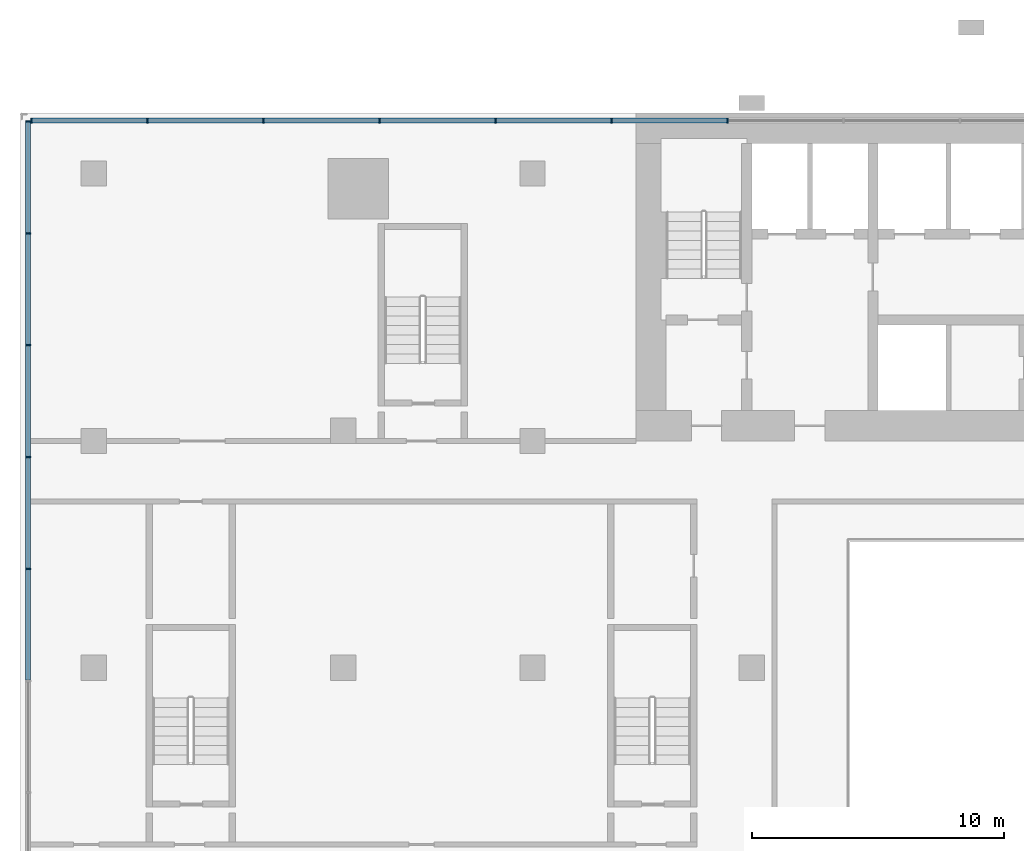
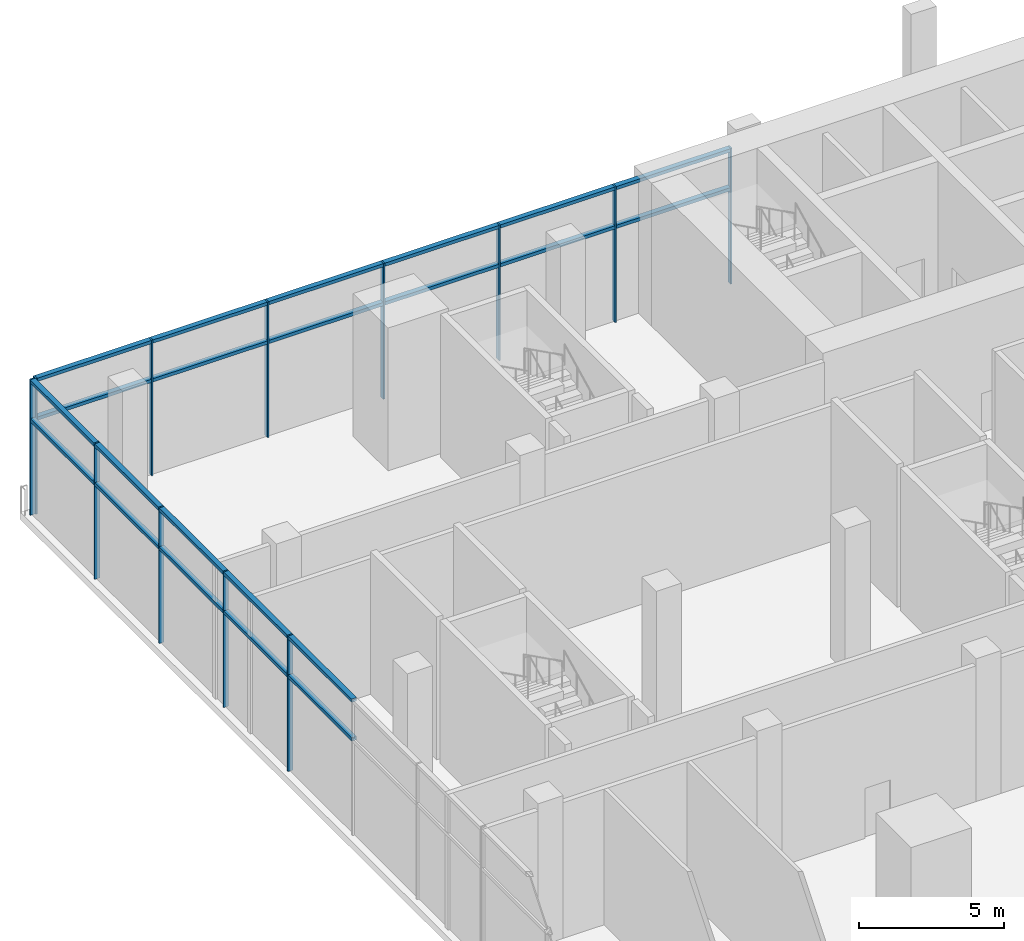
# One storey, part 5 of 22: 34 members, 2 elements without a shape of their own.
"""IFC4 building model written with IfcOpenShell, lengths in metres."""

from ifc_helpers import new_model, si_unit, direction, frame, origin, origin_2d, place, context, subcontext, project, spatial, rectangle, extrude, material, material_profile, profile_set, type_object, element, aggregate, save


model = new_model("IFC4")

# Units and contexts
model_context = context("Model", 3, precision=1e-05, world=origin(), true_north=direction((0.0, 1.0)))
body_context = subcontext(model_context, "Body", "Model", "MODEL_VIEW")
ifc_project = project(units=[si_unit("LENGTHUNIT", "METRE"), si_unit("AREAUNIT", "SQUARE_METRE"), si_unit("VOLUMEUNIT", "CUBIC_METRE"), si_unit("PLANEANGLEUNIT", "RADIAN"), si_unit("MASSUNIT", "GRAM", prefix="KILO")], contexts=[model_context])

# Site, building, storey
site_placement = place(None, origin())
site = spatial("IfcSite", under=ifc_project, at=site_placement, CompositionType="ELEMENT")
building_placement = place(site_placement, origin())
building = spatial("IfcBuilding", under=site, at=building_placement, Name="Bicima Exchange Tower", CompositionType="ELEMENT")
storey_placement = place(building_placement, frame((0.0, 0.0, 14.0)))
storey = spatial("IfcBuildingStorey", under=building, at=storey_placement, Name="L02", CompositionType="ELEMENT", Elevation=14.0)

# Curtain wall, members
ifc_material = material(Name="Anodised bronze aluminium", Category="aluminium")
curtain_wall_type = type_object("IfcCurtainWallType", Name="Lobby glazing", PredefinedType="NOTDEFINED", material=ifc_material)
curtain_wall_1_placement = place(storey_placement, origin())
curtain_wall_1 = element("IfcCurtainWall", 1, at=curtain_wall_1_placement, inside=storey, type_object=curtain_wall_type, Name="Podium glazing L02 north 1", PredefinedType="NOTDEFINED")
ifc_material_profile_1 = material_profile(ifc_material, rectangle(XDim=0.199951171875, YDim=0.06005859375, at=origin_2d()))
ifc_profile_set_1 = profile_set([ifc_material_profile_1], Name="Anodised bronze aluminium")
member_type_1 = type_object("IfcMemberType", Name="Lobby glazing mullion 60 x 200", PredefinedType="MULLION", material=ifc_profile_set_1)
member_1_placement = place(storey_placement, frame((-18.35791015625, -0.300048828125, 0.0), z_axis=(0.0, 0.0, 1.0), x_axis=(0.0, -1.0, 0.0)))
member_1 = element("IfcMember", 2, at=member_1_placement, type_object=member_type_1, Name="Lobby glazing mullion 15", PredefinedType="MULLION", context=body_context, shape_type="SweptSolid", body=[
    extrude(rectangle(XDim=0.199951171875, YDim=0.06005859375, at=origin_2d()), origin(), (0.0, 0.0, 1.0), 5.699951171875),
])
member_2_placement = place(storey_placement, frame((-22.9599609375, -0.300048828125, 0.0), z_axis=(0.0, 0.0, 1.0), x_axis=(0.0, -1.0, 0.0)))
member_2 = element("IfcMember", 3, at=member_2_placement, type_object=member_type_1, Name="Lobby glazing mullion 16", PredefinedType="MULLION", context=body_context, shape_type="SweptSolid", body=[
    extrude(rectangle(XDim=0.199951171875, YDim=0.06005859375, at=origin_2d()), origin(), (0.0, 0.0, 1.0), 5.699951171875),
])
member_3_placement = place(storey_placement, frame((-27.56201171875, -0.300048828125, 0.0), z_axis=(0.0, 0.0, 1.0), x_axis=(0.0, -1.0, 0.0)))
member_3 = element("IfcMember", 4, at=member_3_placement, type_object=member_type_1, Name="Lobby glazing mullion 17", PredefinedType="MULLION", context=body_context, shape_type="SweptSolid", body=[
    extrude(rectangle(XDim=0.199951171875, YDim=0.06005859375, at=origin_2d()), origin(), (0.0, 0.0, 1.0), 5.699951171875),
])
member_4_placement = place(storey_placement, frame((-32.1640625, -0.300048828125, 0.0), z_axis=(0.0, 0.0, 1.0), x_axis=(0.0, -1.0, 0.0)))
member_4 = element("IfcMember", 5, at=member_4_placement, type_object=member_type_1, Name="Lobby glazing mullion 18", PredefinedType="MULLION", context=body_context, shape_type="SweptSolid", body=[
    extrude(rectangle(XDim=0.199951171875, YDim=0.06005859375, at=origin_2d()), origin(), (0.0, 0.0, 1.0), 5.699951171875),
])
member_5_placement = place(storey_placement, frame((-36.76611328125, -0.300048828125, 0.0), z_axis=(0.0, 0.0, 1.0), x_axis=(0.0, -1.0, 0.0)))
member_5 = element("IfcMember", 6, at=member_5_placement, type_object=member_type_1, Name="Lobby glazing mullion 19", PredefinedType="MULLION", context=body_context, shape_type="SweptSolid", body=[
    extrude(rectangle(XDim=0.199951171875, YDim=0.06005859375, at=origin_2d()), origin(), (0.0, 0.0, 1.0), 5.699951171875),
])
member_6_placement = place(storey_placement, frame((-41.367919921875, -0.300048828125, 0.0), z_axis=(0.0, 0.0, 1.0), x_axis=(0.0, -1.0, 0.0)))
member_6 = element("IfcMember", 7, at=member_6_placement, type_object=member_type_1, Name="Lobby glazing mullion 20", PredefinedType="MULLION", context=body_context, shape_type="SweptSolid", body=[
    extrude(rectangle(XDim=0.199951171875, YDim=0.06005859375, at=origin_2d()), origin(), (0.0, 0.0, 1.0), 5.699951171875),
])
member_7_placement = place(storey_placement, frame((-45.969970703125, -0.300048828125, 0.0), z_axis=(0.0, 0.0, 1.0), x_axis=(0.0, -1.0, 0.0)))
member_7 = element("IfcMember", 8, at=member_7_placement, type_object=member_type_1, Name="Lobby glazing mullion 21", PredefinedType="MULLION", context=body_context, shape_type="SweptSolid", body=[
    extrude(rectangle(XDim=0.199951171875, YDim=0.06005859375, at=origin_2d()), origin(), (0.0, 0.0, 1.0), 5.699951171875),
])

curtain_wall_2_placement = place(storey_placement, origin())
curtain_wall_2 = element("IfcCurtainWall", 9, at=curtain_wall_2_placement, inside=storey, type_object=curtain_wall_type, Name="Podium glazing L02 west 1", PredefinedType="NOTDEFINED")
member_8_placement = place(storey_placement, frame((-46.10009765625, -0.330078125, 0.0), z_axis=(0.0, 0.0, 1.0), x_axis=(1.0, 0.0, 0.0)))
member_8 = element("IfcMember", 10, at=member_8_placement, type_object=member_type_1, Name="Lobby glazing mullion 1", PredefinedType="MULLION", context=body_context, shape_type="SweptSolid", body=[
    extrude(rectangle(XDim=0.199951171875, YDim=0.06005859375, at=origin_2d()), origin(), (0.0, 0.0, 1.0), 5.699951171875),
])
member_9_placement = place(storey_placement, frame((-46.10009765625, -4.7666015625, 0.0), z_axis=(0.0, 0.0, 1.0), x_axis=(1.0, 0.0, 0.0)))
member_9 = element("IfcMember", 11, at=member_9_placement, type_object=member_type_1, Name="Lobby glazing mullion 2", PredefinedType="MULLION", context=body_context, shape_type="SweptSolid", body=[
    extrude(rectangle(XDim=0.199951171875, YDim=0.06005859375, at=origin_2d()), origin(), (0.0, 0.0, 1.0), 5.699951171875),
])
member_10_placement = place(storey_placement, frame((-46.10009765625, -9.203369140625, 0.0), z_axis=(0.0, 0.0, 1.0), x_axis=(1.0, 0.0, 0.0)))
member_10 = element("IfcMember", 12, at=member_10_placement, type_object=member_type_1, Name="Lobby glazing mullion 3", PredefinedType="MULLION", context=body_context, shape_type="SweptSolid", body=[
    extrude(rectangle(XDim=0.199951171875, YDim=0.06005859375, at=origin_2d()), origin(), (0.0, 0.0, 1.0), 5.699951171875),
])
member_11_placement = place(storey_placement, frame((-46.10009765625, -13.639892578125, 0.0), z_axis=(0.0, 0.0, 1.0), x_axis=(1.0, 0.0, 0.0)))
member_11 = element("IfcMember", 13, at=member_11_placement, type_object=member_type_1, Name="Lobby glazing mullion 4", PredefinedType="MULLION", context=body_context, shape_type="SweptSolid", body=[
    extrude(rectangle(XDim=0.199951171875, YDim=0.06005859375, at=origin_2d()), origin(), (0.0, 0.0, 1.0), 5.699951171875),
])
member_12_placement = place(storey_placement, frame((-46.10009765625, -18.07666015625, 0.0), z_axis=(0.0, 0.0, 1.0), x_axis=(1.0, 0.0, 0.0)))
member_12 = element("IfcMember", 14, at=member_12_placement, type_object=member_type_1, Name="Lobby glazing mullion 5", PredefinedType="MULLION", context=body_context, shape_type="SweptSolid", body=[
    extrude(rectangle(XDim=0.199951171875, YDim=0.06005859375, at=origin_2d()), origin(), (0.0, 0.0, 1.0), 5.699951171875),
])

# Member
ifc_material_profile_2 = material_profile(ifc_material, rectangle(XDim=0.199951171875, YDim=0.139892578125, at=origin_2d()))
ifc_profile_set_2 = profile_set([ifc_material_profile_2], Name="Anodised bronze aluminium")
member_type_2 = type_object("IfcMemberType", Name="Lobby glazing transom 140 x 200", PredefinedType="USERDEFINED", material=ifc_profile_set_2)
member_13_placement = place(storey_placement, frame((-18.387939453125, -0.300048828125, 4.0), z_axis=(-1.0, 0.0, 0.0), x_axis=(0.0, -1.0, 0.0)))
member_13 = element("IfcMember", 15, at=member_13_placement, type_object=member_type_2, Name="Lobby glazing transom 15.1", ObjectType="TRANSOM", PredefinedType="USERDEFINED", context=body_context, shape_type="SweptSolid", body=[
    extrude(rectangle(XDim=0.199951171875, YDim=0.139892578125, at=origin_2d()), origin(), (0.0, 0.0, 1.0), 4.5419921875),
])

member_14_placement = place(storey_placement, frame((-18.387939453125, -0.300048828125, 5.6298828125), z_axis=(-1.0, 0.0, 0.0), x_axis=(0.0, -1.0, 0.0)))
member_14 = element("IfcMember", 16, at=member_14_placement, type_object=member_type_2, Name="Lobby glazing transom 15.2", ObjectType="TRANSOM", PredefinedType="USERDEFINED", context=body_context, shape_type="SweptSolid", body=[
    extrude(rectangle(XDim=0.199951171875, YDim=0.139892578125, at=origin_2d()), origin(), (0.0, 0.0, 1.0), 4.5419921875),
])

member_15_placement = place(storey_placement, frame((-22.989990234375, -0.300048828125, 4.0), z_axis=(-1.0, 0.0, 0.0), x_axis=(0.0, -1.0, 0.0)))
member_15 = element("IfcMember", 17, at=member_15_placement, type_object=member_type_2, Name="Lobby glazing transom 16.1", ObjectType="TRANSOM", PredefinedType="USERDEFINED", context=body_context, shape_type="SweptSolid", body=[
    extrude(rectangle(XDim=0.199951171875, YDim=0.139892578125, at=origin_2d()), origin(), (0.0, 0.0, 1.0), 4.5419921875),
])

member_16_placement = place(storey_placement, frame((-22.989990234375, -0.300048828125, 5.6298828125), z_axis=(-1.0, 0.0, 0.0), x_axis=(0.0, -1.0, 0.0)))
member_16 = element("IfcMember", 18, at=member_16_placement, type_object=member_type_2, Name="Lobby glazing transom 16.2", ObjectType="TRANSOM", PredefinedType="USERDEFINED", context=body_context, shape_type="SweptSolid", body=[
    extrude(rectangle(XDim=0.199951171875, YDim=0.139892578125, at=origin_2d()), origin(), (0.0, 0.0, 1.0), 4.5419921875),
])

member_17_placement = place(storey_placement, frame((-27.592041015625, -0.300048828125, 4.0), z_axis=(-1.0, 0.0, 0.0), x_axis=(0.0, -1.0, 0.0)))
member_17 = element("IfcMember", 19, at=member_17_placement, type_object=member_type_2, Name="Lobby glazing transom 17.1", ObjectType="TRANSOM", PredefinedType="USERDEFINED", context=body_context, shape_type="SweptSolid", body=[
    extrude(rectangle(XDim=0.199951171875, YDim=0.139892578125, at=origin_2d()), origin(), (0.0, 0.0, 1.0), 4.5419921875),
])

member_18_placement = place(storey_placement, frame((-27.592041015625, -0.300048828125, 5.6298828125), z_axis=(-1.0, 0.0, 0.0), x_axis=(0.0, -1.0, 0.0)))
member_18 = element("IfcMember", 20, at=member_18_placement, type_object=member_type_2, Name="Lobby glazing transom 17.2", ObjectType="TRANSOM", PredefinedType="USERDEFINED", context=body_context, shape_type="SweptSolid", body=[
    extrude(rectangle(XDim=0.199951171875, YDim=0.139892578125, at=origin_2d()), origin(), (0.0, 0.0, 1.0), 4.5419921875),
])

member_19_placement = place(storey_placement, frame((-32.194091796875, -0.300048828125, 4.0), z_axis=(-1.0, 0.0, 0.0), x_axis=(0.0, -1.0, 0.0)))
member_19 = element("IfcMember", 21, at=member_19_placement, type_object=member_type_2, Name="Lobby glazing transom 18.1", ObjectType="TRANSOM", PredefinedType="USERDEFINED", context=body_context, shape_type="SweptSolid", body=[
    extrude(rectangle(XDim=0.199951171875, YDim=0.139892578125, at=origin_2d()), origin(), (0.0, 0.0, 1.0), 4.5419921875),
])

member_20_placement = place(storey_placement, frame((-32.194091796875, -0.300048828125, 5.6298828125), z_axis=(-1.0, 0.0, 0.0), x_axis=(0.0, -1.0, 0.0)))
member_20 = element("IfcMember", 22, at=member_20_placement, type_object=member_type_2, Name="Lobby glazing transom 18.2", ObjectType="TRANSOM", PredefinedType="USERDEFINED", context=body_context, shape_type="SweptSolid", body=[
    extrude(rectangle(XDim=0.199951171875, YDim=0.139892578125, at=origin_2d()), origin(), (0.0, 0.0, 1.0), 4.5419921875),
])

member_21_placement = place(storey_placement, frame((-36.7958984375, -0.300048828125, 4.0), z_axis=(-1.0, 0.0, 0.0), x_axis=(0.0, -1.0, 0.0)))
member_21 = element("IfcMember", 23, at=member_21_placement, type_object=member_type_2, Name="Lobby glazing transom 19.1", ObjectType="TRANSOM", PredefinedType="USERDEFINED", context=body_context, shape_type="SweptSolid", body=[
    extrude(rectangle(XDim=0.199951171875, YDim=0.139892578125, at=origin_2d()), origin(), (0.0, 0.0, 1.0), 4.5419921875),
])

member_22_placement = place(storey_placement, frame((-36.7958984375, -0.300048828125, 5.6298828125), z_axis=(-1.0, 0.0, 0.0), x_axis=(0.0, -1.0, 0.0)))
member_22 = element("IfcMember", 24, at=member_22_placement, type_object=member_type_2, Name="Lobby glazing transom 19.2", ObjectType="TRANSOM", PredefinedType="USERDEFINED", context=body_context, shape_type="SweptSolid", body=[
    extrude(rectangle(XDim=0.199951171875, YDim=0.139892578125, at=origin_2d()), origin(), (0.0, 0.0, 1.0), 4.5419921875),
])

member_23_placement = place(storey_placement, frame((-41.39794921875, -0.300048828125, 4.0), z_axis=(-1.0, 0.0, 0.0), x_axis=(0.0, -1.0, 0.0)))
member_23 = element("IfcMember", 25, at=member_23_placement, type_object=member_type_2, Name="Lobby glazing transom 20.1", ObjectType="TRANSOM", PredefinedType="USERDEFINED", context=body_context, shape_type="SweptSolid", body=[
    extrude(rectangle(XDim=0.199951171875, YDim=0.139892578125, at=origin_2d()), origin(), (0.0, 0.0, 1.0), 4.5419921875),
])

member_24_placement = place(storey_placement, frame((-41.39794921875, -0.300048828125, 5.6298828125), z_axis=(-1.0, 0.0, 0.0), x_axis=(0.0, -1.0, 0.0)))
member_24 = element("IfcMember", 26, at=member_24_placement, type_object=member_type_2, Name="Lobby glazing transom 20.2", ObjectType="TRANSOM", PredefinedType="USERDEFINED", context=body_context, shape_type="SweptSolid", body=[
    extrude(rectangle(XDim=0.199951171875, YDim=0.139892578125, at=origin_2d()), origin(), (0.0, 0.0, 1.0), 4.5419921875),
])

aggregate(curtain_wall_1, [member_1, member_2, member_3, member_4, member_5, member_6, member_7, member_13, member_14, member_15, member_16, member_17, member_18, member_19, member_20, member_21, member_22, member_23, member_24])

member_25_placement = place(storey_placement, frame((-46.10009765625, -0.360107421875, 4.0), z_axis=(0.0, -1.0, 0.0), x_axis=(1.0, 0.0, 0.0)))
member_25 = element("IfcMember", 27, at=member_25_placement, type_object=member_type_2, Name="Lobby glazing transom 1.1", ObjectType="TRANSOM", PredefinedType="USERDEFINED", context=body_context, shape_type="SweptSolid", body=[
    extrude(rectangle(XDim=0.199951171875, YDim=0.139892578125, at=origin_2d()), origin(), (0.0, 0.0, 1.0), 4.376708984375),
])

member_26_placement = place(storey_placement, frame((-46.10009765625, -0.360107421875, 5.6298828125), z_axis=(0.0, -1.0, 0.0), x_axis=(1.0, 0.0, 0.0)))
member_26 = element("IfcMember", 28, at=member_26_placement, type_object=member_type_2, Name="Lobby glazing transom 1.2", ObjectType="TRANSOM", PredefinedType="USERDEFINED", context=body_context, shape_type="SweptSolid", body=[
    extrude(rectangle(XDim=0.199951171875, YDim=0.139892578125, at=origin_2d()), origin(), (0.0, 0.0, 1.0), 4.376708984375),
])

member_27_placement = place(storey_placement, frame((-46.10009765625, -4.796630859375, 4.0), z_axis=(0.0, -1.0, 0.0), x_axis=(1.0, 0.0, 0.0)))
member_27 = element("IfcMember", 29, at=member_27_placement, type_object=member_type_2, Name="Lobby glazing transom 2.1", ObjectType="TRANSOM", PredefinedType="USERDEFINED", context=body_context, shape_type="SweptSolid", body=[
    extrude(rectangle(XDim=0.199951171875, YDim=0.139892578125, at=origin_2d()), origin(), (0.0, 0.0, 1.0), 4.376708984375),
])

member_28_placement = place(storey_placement, frame((-46.10009765625, -4.796630859375, 5.6298828125), z_axis=(0.0, -1.0, 0.0), x_axis=(1.0, 0.0, 0.0)))
member_28 = element("IfcMember", 30, at=member_28_placement, type_object=member_type_2, Name="Lobby glazing transom 2.2", ObjectType="TRANSOM", PredefinedType="USERDEFINED", context=body_context, shape_type="SweptSolid", body=[
    extrude(rectangle(XDim=0.199951171875, YDim=0.139892578125, at=origin_2d()), origin(), (0.0, 0.0, 1.0), 4.376708984375),
])

member_29_placement = place(storey_placement, frame((-46.10009765625, -9.2333984375, 4.0), z_axis=(0.0, -1.0, 0.0), x_axis=(1.0, 0.0, 0.0)))
member_29 = element("IfcMember", 31, at=member_29_placement, type_object=member_type_2, Name="Lobby glazing transom 3.1", ObjectType="TRANSOM", PredefinedType="USERDEFINED", context=body_context, shape_type="SweptSolid", body=[
    extrude(rectangle(XDim=0.199951171875, YDim=0.139892578125, at=origin_2d()), origin(), (0.0, 0.0, 1.0), 4.376708984375),
])

member_30_placement = place(storey_placement, frame((-46.10009765625, -9.2333984375, 5.6298828125), z_axis=(0.0, -1.0, 0.0), x_axis=(1.0, 0.0, 0.0)))
member_30 = element("IfcMember", 32, at=member_30_placement, type_object=member_type_2, Name="Lobby glazing transom 3.2", ObjectType="TRANSOM", PredefinedType="USERDEFINED", context=body_context, shape_type="SweptSolid", body=[
    extrude(rectangle(XDim=0.199951171875, YDim=0.139892578125, at=origin_2d()), origin(), (0.0, 0.0, 1.0), 4.376708984375),
])

member_31_placement = place(storey_placement, frame((-46.10009765625, -13.669921875, 4.0), z_axis=(0.0, -1.0, 0.0), x_axis=(1.0, 0.0, 0.0)))
member_31 = element("IfcMember", 33, at=member_31_placement, type_object=member_type_2, Name="Lobby glazing transom 4.1", ObjectType="TRANSOM", PredefinedType="USERDEFINED", context=body_context, shape_type="SweptSolid", body=[
    extrude(rectangle(XDim=0.199951171875, YDim=0.139892578125, at=origin_2d()), origin(), (0.0, 0.0, 1.0), 4.376708984375),
])

member_32_placement = place(storey_placement, frame((-46.10009765625, -13.669921875, 5.6298828125), z_axis=(0.0, -1.0, 0.0), x_axis=(1.0, 0.0, 0.0)))
member_32 = element("IfcMember", 34, at=member_32_placement, type_object=member_type_2, Name="Lobby glazing transom 4.2", ObjectType="TRANSOM", PredefinedType="USERDEFINED", context=body_context, shape_type="SweptSolid", body=[
    extrude(rectangle(XDim=0.199951171875, YDim=0.139892578125, at=origin_2d()), origin(), (0.0, 0.0, 1.0), 4.376708984375),
])

member_33_placement = place(storey_placement, frame((-46.10009765625, -18.106689453125, 4.0), z_axis=(0.0, -1.0, 0.0), x_axis=(1.0, 0.0, 0.0)))
member_33 = element("IfcMember", 35, at=member_33_placement, type_object=member_type_2, Name="Lobby glazing transom 5.1", ObjectType="TRANSOM", PredefinedType="USERDEFINED", context=body_context, shape_type="SweptSolid", body=[
    extrude(rectangle(XDim=0.199951171875, YDim=0.139892578125, at=origin_2d()), origin(), (0.0, 0.0, 1.0), 4.376708984375),
])

member_34_placement = place(storey_placement, frame((-46.10009765625, -18.106689453125, 5.6298828125), z_axis=(0.0, -1.0, 0.0), x_axis=(1.0, 0.0, 0.0)))
member_34 = element("IfcMember", 36, at=member_34_placement, type_object=member_type_2, Name="Lobby glazing transom 5.2", ObjectType="TRANSOM", PredefinedType="USERDEFINED", context=body_context, shape_type="SweptSolid", body=[
    extrude(rectangle(XDim=0.199951171875, YDim=0.139892578125, at=origin_2d()), origin(), (0.0, 0.0, 1.0), 4.376708984375),
])

aggregate(curtain_wall_2, [member_8, member_9, member_10, member_11, member_12, member_25, member_26, member_27, member_28, member_29, member_30, member_31, member_32, member_33, member_34])

save(model, "model.ifc")
